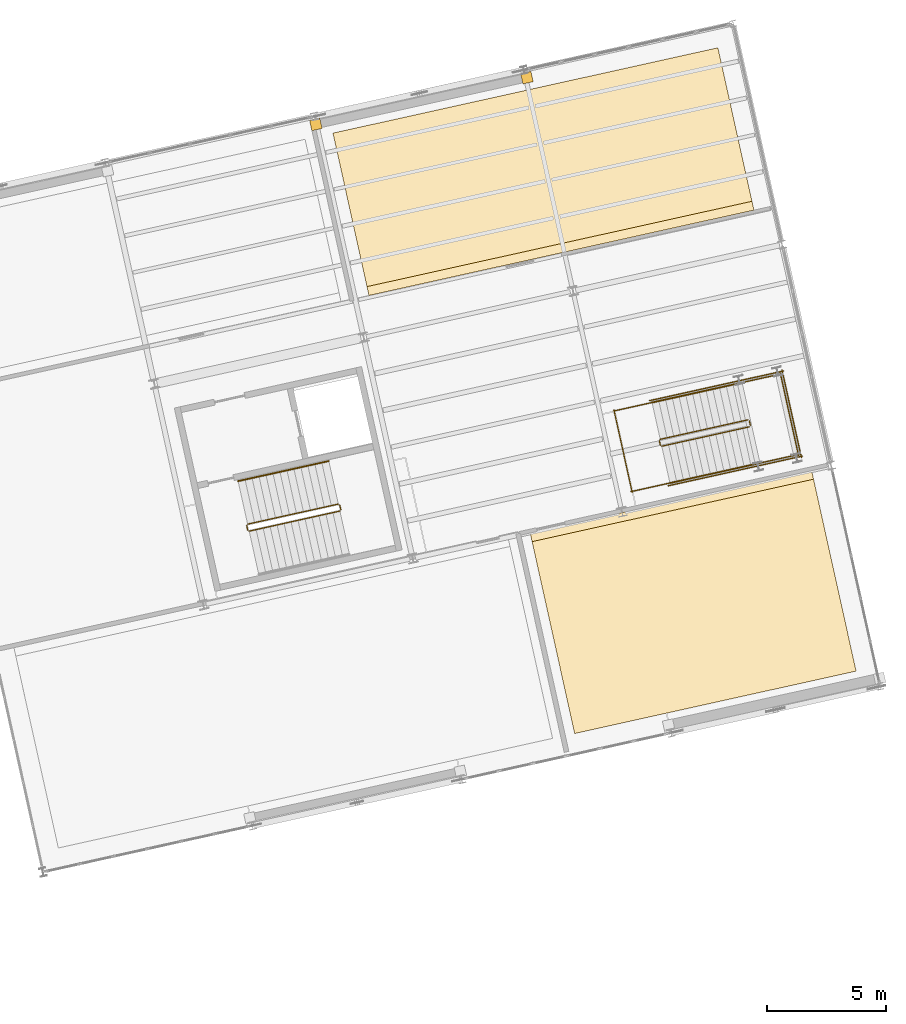
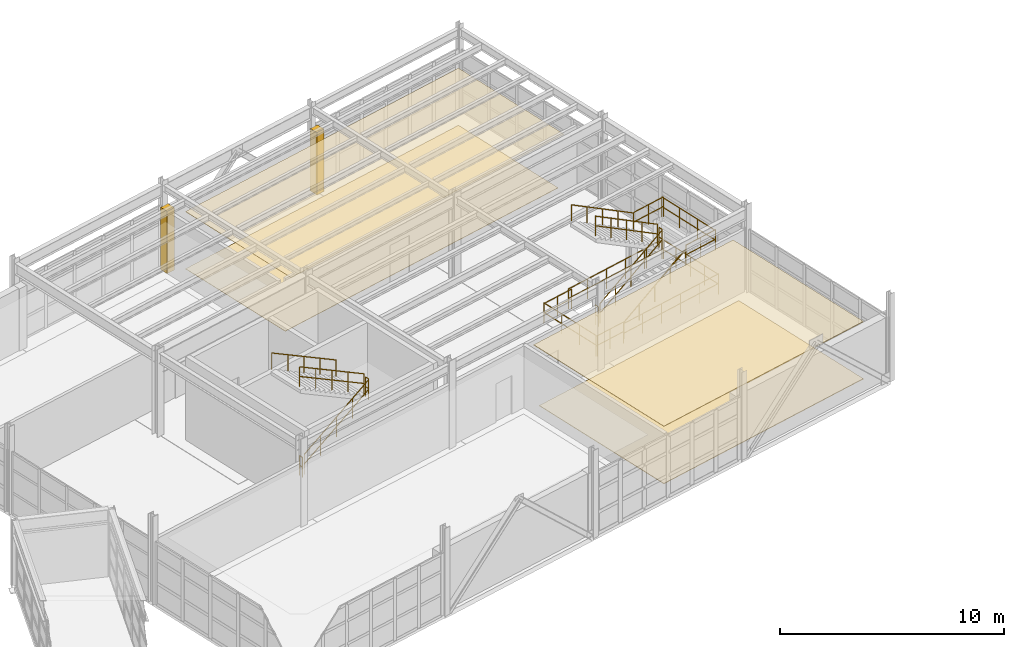
# One storey, part 102 of 102: 20 railings, 6 coverings.
"""IFC4 building model written with IfcOpenShell, lengths in metres."""

import ifcopenshell
import ifcopenshell.guid

model = None  # the IFC model being written
_history = None  # IfcOwnerHistory: only IFC2X3 demands one
_inside = {}  # id of a spatial element -> (the spatial element, [elements in it])
_under = {}  # id of a project, library or spatial element -> (it, [spatial elements below it])
_declared = {}  # id of a project -> (the project, [libraries it declares])
_typed = {}  # id of a type object -> (the type object, [elements of that type])
_made_of = {}  # id of a material, layer set ... -> (it, [elements and type objects made of it])


def new_model(schema):
    """Start an empty IFC model of exactly this schema.

    Asked for "IFC4X3", IfcOpenShell would pick the latest addendum, in which some entities
    have other attributes; the version numbers below select the first issue.
    IFC2X3 requires an IfcOwnerHistory on every rooted entity: one is made here for all.
    """
    global model, _history
    if schema == "IFC4X3":
        model = ifcopenshell.file(schema_version=(4, 3, 0, 0))
    else:
        model = ifcopenshell.file(schema=schema)
    _inside.clear()
    _under.clear()
    _declared.clear()
    _typed.clear()
    _made_of.clear()
    _history = None
    if model.schema == "IFC2X3":
        org = make("IfcOrganization", Name="unknown")
        user = make(
            "IfcPersonAndOrganization",
            ThePerson=make("IfcPerson", FamilyName="unknown"),
            TheOrganization=org,
        )
        app = make(
            "IfcApplication",
            ApplicationDeveloper=org,
            Version="unknown",
            ApplicationFullName="unknown",
            ApplicationIdentifier="unknown",
        )
        _history = make(
            "IfcOwnerHistory",
            OwningUser=user,
            OwningApplication=app,
            ChangeAction="ADDED",
            CreationDate=0,
        )
    return model


def make(cls, **values):
    """One entity of the class cls with the attributes given. An attribute that is None is left unset."""
    return model.create_entity(
        cls, **{name: value for name, value in values.items() if value is not None}
    )


def rooted(cls, **values):
    """An entity with a GlobalId (a new one), such as an element, a storey or a relation."""
    return make(cls, GlobalId=ifcopenshell.guid.new(), OwnerHistory=_history, **values)


def si_unit(unit_type, name, prefix=None):
    """IfcSIUnit, for example si_unit("LENGTHUNIT", "METRE", prefix="MILLI")."""
    return make("IfcSIUnit", UnitType=unit_type, Prefix=prefix, Name=name)


def assignment(units):
    """IfcUnitAssignment: the units of a project."""
    return None if units is None else make("IfcUnitAssignment", Units=units)


def point(xyz):
    """IfcCartesianPoint."""
    return None if xyz is None else make("IfcCartesianPoint", Coordinates=xyz)


def direction(xyz):
    """IfcDirection."""
    return None if xyz is None else make("IfcDirection", DirectionRatios=xyz)


def frame(location, z_axis=None, x_axis=None):
    """IfcAxis2Placement3D, a coordinate frame: its origin and axes. An axis left out is left unset."""
    return make(
        "IfcAxis2Placement3D",
        Location=point(location),
        Axis=direction(z_axis),
        RefDirection=direction(x_axis),
    )


def frame_2d(location, x_axis=None):
    """IfcAxis2Placement2D, a coordinate frame in the plane: its origin and x axis."""
    return make(
        "IfcAxis2Placement2D", Location=point(location), RefDirection=direction(x_axis)
    )


def origin():
    """The frame at (0, 0, 0) with its axes left unset."""
    return frame((0.0, 0.0, 0.0))


def origin_2d():
    """The frame at (0, 0) in the plane with its x axis left unset."""
    return frame_2d((0.0, 0.0))


def place(relative_to, where):
    """IfcLocalPlacement: puts the frame where relative to a parent placement (None: the world)."""
    return make(
        "IfcLocalPlacement", PlacementRelTo=relative_to, RelativePlacement=where
    )


def context(
    kind, dimensions, precision=None, world=None, true_north=None, identifier=None
):
    """IfcGeometricRepresentationContext, for example the 3D "Model" context."""
    return make(
        "IfcGeometricRepresentationContext",
        ContextIdentifier=identifier,
        ContextType=kind,
        CoordinateSpaceDimension=dimensions,
        Precision=precision,
        WorldCoordinateSystem=world,
        TrueNorth=true_north,
    )


def subcontext(parent, identifier, kind, view, scale=None):
    """IfcGeometricRepresentationSubContext, for example "Body" below "Model"."""
    return make(
        "IfcGeometricRepresentationSubContext",
        ContextIdentifier=identifier,
        ContextType=kind,
        ParentContext=parent,
        TargetScale=scale,
        TargetView=view,
    )


def project(units=None, contexts=None):
    """IfcProject with its units and contexts."""
    return rooted(
        "IfcProject",
        Name="project",
        RepresentationContexts=contexts,
        UnitsInContext=assignment(units),
    )


def spatial(cls, under=None, at=None, **own):
    """A site, building, storey or space (cls), placed at a placement, below another one or the project."""
    s = rooted(cls, ObjectPlacement=at, **own)
    if under is not None:
        _under.setdefault(under.id(), (under, []))[1].append(s)
    return s


def polyline(points):
    """IfcPolyline through the points."""
    return make("IfcPolyline", Points=[point(p) for p in points])


def profile(cls, at=None, kind="AREA", **sizes):
    """A parametric profile (cls). Its sizes go by their IFC names, for example OverallWidth=200.0."""
    return make(cls, ProfileType=kind, Position=at, **sizes)


def rectangle(**sizes):
    """IfcRectangleProfileDef."""
    return profile("IfcRectangleProfileDef", **sizes)


def circle(**sizes):
    """IfcCircleProfileDef."""
    return profile("IfcCircleProfileDef", **sizes)


def outline(outer, holes=None, kind="AREA"):
    """IfcArbitraryClosedProfileDef: a profile drawn as a closed curve; with holes, ...WithVoids."""
    if holes is None:
        return make("IfcArbitraryClosedProfileDef", ProfileType=kind, OuterCurve=outer)
    return make(
        "IfcArbitraryProfileDefWithVoids",
        ProfileType=kind,
        OuterCurve=outer,
        InnerCurves=holes,
    )


def extrude(swept, where, along, depth):
    """IfcExtrudedAreaSolid: the profile swept, set in the frame where, extruded along a direction by depth."""
    return make(
        "IfcExtrudedAreaSolid",
        SweptArea=swept,
        Position=where,
        ExtrudedDirection=direction(along),
        Depth=depth,
    )


def shape(context_of_items, identifier, shape_type, items):
    """IfcShapeRepresentation: the items that make up one representation, for example the "Body"."""
    return make(
        "IfcShapeRepresentation",
        ContextOfItems=context_of_items,
        RepresentationIdentifier=identifier,
        RepresentationType=shape_type,
        Items=items,
    )


def material(Name=None, Category=None):
    """IfcMaterial."""
    return make("IfcMaterial", Name=Name, Category=Category)


def layer(
    of_material, thickness, ventilated=None, Name=None, Category=None, Priority=None
):
    """IfcMaterialLayer: one layer of a wall or slab, of a material (None: an air gap)."""
    return make(
        "IfcMaterialLayer",
        Material=of_material,
        LayerThickness=thickness,
        IsVentilated=ventilated,
        Name=Name,
        Category=Category,
        Priority=Priority,
    )


def layer_set(layers, Name=None):
    """IfcMaterialLayerSet."""
    return make("IfcMaterialLayerSet", MaterialLayers=layers, LayerSetName=Name)


def made_of(thing, what):
    """Note that an element or type object is made of a material, layer set ...; save() writes the relation."""
    if what is not None:
        _made_of.setdefault(what.id(), (what, []))[1].append(thing)
    return thing


def type_object(cls, material=None, **own):
    """A type object (cls), such as IfcWallType, which elements share."""
    return made_of(rooted(cls, **own), material)


def element(
    cls,
    number,
    at=None,
    inside=None,
    cuts=None,
    type_object=None,
    material=None,
    context=None,
    identifier="Body",
    shape_type=None,
    held_by="IfcProductDefinitionShape",
    body=None,
    shapes=None,
    **own,
):
    """One element of the class cls, such as IfcWall. Its Tag is "e" and its number.

    at: its placement. inside: the storey or other place that contains it. cuts: it is an
    opening in that element (IfcRelVoidsElement). A single representation is given by context,
    identifier, shape_type and body (its items); several are given by shapes. held_by: the class
    of the entity that holds the representations. save() writes the other relations.
    """
    e = rooted(cls, Tag="e%d" % number, ObjectPlacement=at, **own)
    if body is not None:
        shapes = [shape(context, identifier, shape_type, body)]
    if shapes is not None:
        e.Representation = make(held_by, Representations=shapes)
    if inside is not None:
        _inside.setdefault(inside.id(), (inside, []))[1].append(e)
    if cuts is not None:
        rooted(
            "IfcRelVoidsElement", RelatingBuildingElement=cuts, RelatedOpeningElement=e
        )
    if type_object is not None:
        _typed.setdefault(type_object.id(), (type_object, []))[1].append(e)
    return made_of(e, material)


def aggregate(whole, parts):
    """IfcRelAggregates: a whole, such as a stair, and the parts it consists of."""
    return rooted("IfcRelAggregates", RelatingObject=whole, RelatedObjects=parts)


def save(model, path):
    """Write the relations noted so far, then the file.

    IfcRelAggregates (storeys below a building ...), IfcRelContainedInSpatialStructure (elements
    in a storey), IfcRelDefinesByType, IfcRelAssociatesMaterial and IfcRelDeclares: one each for
    every whole, place, type object, material and project.
    """
    for whole, parts in _under.values():
        aggregate(whole, parts)
    for where, things in _inside.values():
        rooted(
            "IfcRelContainedInSpatialStructure",
            RelatedElements=things,
            RelatingStructure=where,
        )
    for kind, things in _typed.values():
        rooted("IfcRelDefinesByType", RelatedObjects=things, RelatingType=kind)
    for what, things in _made_of.values():
        rooted("IfcRelAssociatesMaterial", RelatedObjects=things, RelatingMaterial=what)
    for by, libraries in _declared.values():
        rooted("IfcRelDeclares", RelatingContext=by, RelatedDefinitions=libraries)
    model.write(path)


model = new_model("IFC4")

# Units and contexts
model_context = context("Model", 3, precision=1e-05, world=origin(), true_north=direction((0.0, 1.0)))
body_context = subcontext(model_context, "Body", "Model", "MODEL_VIEW")
ifc_project = project(units=[si_unit("LENGTHUNIT", "METRE"), si_unit("AREAUNIT", "SQUARE_METRE"), si_unit("VOLUMEUNIT", "CUBIC_METRE"), si_unit("PLANEANGLEUNIT", "RADIAN"), si_unit("MASSUNIT", "GRAM", prefix="KILO")], contexts=[model_context])

# Site, building, storey
site_placement = place(None, origin())
site = spatial("IfcSite", under=ifc_project, at=site_placement, CompositionType="ELEMENT")
building_placement = place(site_placement, origin())
building = spatial("IfcBuilding", under=site, at=building_placement, Name="Vireo Bluff Cable Station", CompositionType="ELEMENT")
storey_placement = place(building_placement, frame((0.0, 0.0, 9.60009765625)))
storey = spatial("IfcBuildingStorey", under=building, at=storey_placement, Name="L02", CompositionType="ELEMENT", Elevation=9.60009765625)

# Coverings
ifc_material_1 = material(Name="Perforated Acoustic Metal Ceiling")
ifc_layer_1 = layer(ifc_material_1, 0.02490234375, Name="Perforated Acoustic Metal Ceiling")
ifc_layer_set_1 = layer_set([ifc_layer_1], Name="Perforated Acoustic Metal Ceiling")
covering_type_1 = type_object("IfcCoveringType", Name="CEILING-ACOUSTIC-25", PredefinedType="CEILING", material=ifc_layer_set_1)
covering_1_placement = place(storey_placement, frame((0.0, 0.0, 3.119873046875)))
element("IfcCovering", 1, at=covering_1_placement, inside=storey, type_object=covering_type_1, Name="V2 L02 Acoustic Ventilation Plenum Hall acoustic ceiling", PredefinedType="CEILING", context=body_context, shape_type="SweptSolid", body=[
    extrude(outline(polyline([(139.685302734375, 98.205810546875), (155.843017578125, 101.787841796875), (154.332275390625, 108.6025390625), (138.174560546875, 105.020263671875), (139.685302734375, 98.205810546875)])), origin(), (0.0, 0.0, 1.0), 0.025146484375),
])
ifc_layer_2 = layer(ifc_material_1, 0.034912109375, Name="Perforated Acoustic Metal Ceiling")
ifc_layer_set_2 = layer_set([ifc_layer_2], Name="Perforated Acoustic Metal Ceiling")
covering_type_2 = type_object("IfcCoveringType", Name="CEILING-ACOUSTIC-35", PredefinedType="CEILING", material=ifc_layer_set_2)
covering_2_placement = place(storey_placement, frame((0.0, 0.0, 3.119873046875)))
element("IfcCovering", 2, at=covering_2_placement, inside=storey, type_object=covering_type_2, Name="V2 L02 Hydraulic Tensioning Vault acoustic ceiling", PredefinedType="CEILING", context=body_context, shape_type="SweptSolid", body=[
    extrude(outline(polyline([(148.319580078125, 79.81884765625), (160.1328125, 82.437744140625), (158.26708984375, 90.853271484375), (146.453857421875, 88.234375), (148.319580078125, 79.81884765625)])), origin(), (0.0, 0.0, 1.0), 0.034912109375),
])
ifc_material_2 = material(Name="Precast concrete f'c 45 MPa", Category="concrete")
ifc_layer_3 = layer(ifc_material_2, 0.0400390625, Name="Precast concrete f'c 45 MPa")
ifc_layer_set_3 = layer_set([ifc_layer_3], Name="Precast concrete f'c 45 MPa")
covering_type_3 = type_object("IfcCoveringType", Name="COL-CLOSURE-WRAP", PredefinedType="CLADDING", material=ifc_layer_set_3)
for number, where, z_axis, x_axis, name in (
    (3, (137.45556640625, 105.38330078125, 0.0), (0.0, 0.0, 1.0), (0.97629600712, 0.216439613938, 0.0), "V2 L02 column pocket closure"),
    (4, (146.31494140625, 107.347412109375, 0.0), (0.0, 0.0, 1.0), (0.97629600712, 0.216439613938, 0.0), "V2 L02 column pocket closure"),
):
    element("IfcCovering", number, at=place(storey_placement, frame(where, z_axis=z_axis, x_axis=x_axis)), inside=storey, type_object=covering_type_3, Name=name, PredefinedType="CLADDING", context=body_context, shape_type="SweptSolid", body=[
        extrude(rectangle(XDim=0.43994140625, YDim=0.43994140625, at=origin_2d()), origin(), (0.0, 0.0, 1.0), 3.39990234375),
    ])
ifc_material_3 = material(Name="Polished Terrazzo Flooring")
ifc_layer_4 = layer(ifc_material_3, 0.02001953125, Name="Polished Terrazzo Flooring")
ifc_layer_set_4 = layer_set([ifc_layer_4], Name="Polished Terrazzo Flooring")
covering_type_4 = type_object("IfcCoveringType", Name="FLOORING-TERRAZZO-20", PredefinedType="FLOORING", material=ifc_layer_set_4)
covering_3_placement = place(storey_placement, origin())
element("IfcCovering", 5, at=covering_3_placement, inside=storey, type_object=covering_type_4, Name="V2 L02 Acoustic Ventilation Plenum Hall terrazzo finish", PredefinedType="FLOORING", context=body_context, shape_type="SweptSolid", body=[
    extrude(outline(polyline([(139.60302734375, 98.576904296875), (155.7607421875, 102.158935546875), (154.332275390625, 108.6025390625), (138.174560546875, 105.020263671875), (139.60302734375, 98.576904296875)])), origin(), (0.0, 0.0, 1.0), 0.02001953125),
])
ifc_layer_5 = layer(ifc_material_3, 0.030029296875, Name="Polished Terrazzo Flooring")
ifc_layer_set_5 = layer_set([ifc_layer_5], Name="Polished Terrazzo Flooring")
covering_type_5 = type_object("IfcCoveringType", Name="FLOORING-TERRAZZO-30", PredefinedType="FLOORING", material=ifc_layer_set_5)
covering_4_placement = place(storey_placement, origin())
element("IfcCovering", 6, at=covering_4_placement, inside=storey, type_object=covering_type_5, Name="V2 L02 Hydraulic Tensioning Vault terrazzo finish", PredefinedType="FLOORING", context=body_context, shape_type="SweptSolid", body=[
    extrude(outline(polyline([(148.319580078125, 79.81884765625), (160.1328125, 82.437744140625), (158.34716796875, 90.4921875), (146.533935546875, 87.873291015625), (148.319580078125, 79.81884765625)])), origin(), (0.0, 0.0, 1.0), 0.02978515625),
])

# Railings
ifc_material_4 = material(Name="Stainless Steel 316", Category="steel")
railing_type_1 = type_object("IfcRailingType", Name="STAIR-GUARD-1100", PredefinedType="GUARDRAIL", material=ifc_material_4)
railing_1_placement = place(storey_placement, frame((134.6572265625, 88.31298828125, 0.17138671875)))
element("IfcRailing", 7, at=railing_1_placement, inside=storey, type_object=railing_type_1, Name="L02 ST-04 stair guard 1", PredefinedType="GUARDRAIL", context=body_context, shape_type="SweptSolid", body=[
    extrude(circle(Radius=0.02392578125, at=origin_2d()), frame((0.0, 0.0, 1.076171875), z_axis=(0.847667079932, 0.187947727777, 0.496121127572), x_axis=(-0.216466466135, 0.976290053744, 0.0)), (0.0, 0.0, 1.0), 4.491943359375),
    extrude(circle(Radius=0.02392578125, at=origin_2d()), frame((0.0, 0.0, 0.550048828125), z_axis=(0.847667079932, 0.187947727777, 0.496121127572), x_axis=(-0.216466466135, 0.976290053744, 0.0)), (0.0, 0.0, 1.0), 4.491943359375),
    extrude(circle(Radius=0.02099609375, at=origin_2d()), origin(), (0.0, 0.0, 1.0), 1.052001953125),
    extrude(circle(Radius=0.02099609375, at=origin_2d()), frame((0.951904296875, 0.2109375, 0.55712890625)), (0.0, 0.0, 1.0), 1.052001953125),
    extrude(circle(Radius=0.02099609375, at=origin_2d()), frame((1.90380859375, 0.422119140625, 1.1142578125)), (0.0, 0.0, 1.0), 1.052001953125),
    extrude(circle(Radius=0.02099609375, at=origin_2d()), frame((2.855712890625, 0.63330078125, 1.67138671875)), (0.0, 0.0, 1.0), 1.052001953125),
    extrude(circle(Radius=0.02099609375, at=origin_2d()), frame((3.8076171875, 0.84423828125, 2.228515625)), (0.0, 0.0, 1.0), 1.052001953125),
])
railing_2_placement = place(storey_placement, frame((138.5029296875, 89.216796875, 2.39990234375)))
element("IfcRailing", 8, at=railing_2_placement, inside=storey, type_object=railing_type_1, Name="L02 ST-04 stair guard 2", PredefinedType="GUARDRAIL", context=body_context, shape_type="SweptSolid", body=[
    extrude(circle(Radius=0.02392578125, at=origin_2d()), frame((0.0, 0.0, 1.076171875), z_axis=(-0.217188837468, 0.976129606599, 0.0), x_axis=(-0.976129606599, -0.217188837468, 0.0)), (0.0, 0.0, 1.0), 0.2001953125),
    extrude(circle(Radius=0.02392578125, at=origin_2d()), frame((0.0, 0.0, 0.550048828125), z_axis=(-0.217188837468, 0.976129606599, 0.0), x_axis=(-0.976129606599, -0.217188837468, 0.0)), (0.0, 0.0, 1.0), 0.2001953125),
    extrude(circle(Radius=0.02099609375, at=origin_2d()), origin(), (0.0, 0.0, 1.0), 1.052001953125),
    extrude(circle(Radius=0.02099609375, at=origin_2d()), frame((-0.04345703125, 0.1953125, 0.0)), (0.0, 0.0, 1.0), 1.052001953125),
])
railing_3_placement = place(storey_placement, frame((138.39990234375, 89.449951171875, 2.5712890625)))
element("IfcRailing", 9, at=railing_3_placement, inside=storey, type_object=railing_type_1, Name="L02 ST-04 stair guard 3", PredefinedType="GUARDRAIL", context=body_context, shape_type="SweptSolid", body=[
    extrude(circle(Radius=0.02392578125, at=origin_2d()), frame((0.0, 0.0, 1.076171875), z_axis=(-0.847675737947, -0.187895295337, 0.49612619492), x_axis=(0.216406799411, -0.976303281347, 0.0)), (0.0, 0.0, 1.0), 4.491943359375),
    extrude(circle(Radius=0.02392578125, at=origin_2d()), frame((0.0, 0.0, 0.550048828125), z_axis=(-0.847675737947, -0.187895295337, 0.49612619492), x_axis=(0.216406799411, -0.976303281347, 0.0)), (0.0, 0.0, 1.0), 4.491943359375),
    extrude(circle(Radius=0.02099609375, at=origin_2d()), origin(), (0.0, 0.0, 1.0), 1.052001953125),
    extrude(circle(Radius=0.02099609375, at=origin_2d()), frame((-0.951904296875, -0.2109375, 0.55712890625)), (0.0, 0.0, 1.0), 1.052001953125),
    extrude(circle(Radius=0.02099609375, at=origin_2d()), frame((-1.90380859375, -0.421875, 1.1142578125)), (0.0, 0.0, 1.0), 1.052001953125),
    extrude(circle(Radius=0.02099609375, at=origin_2d()), frame((-2.855712890625, -0.633056640625, 1.67138671875)), (0.0, 0.0, 1.0), 1.052001953125),
    extrude(circle(Radius=0.02099609375, at=origin_2d()), frame((-3.8076171875, -0.843994140625, 2.228515625)), (0.0, 0.0, 1.0), 1.052001953125),
])
railing_4_placement = place(storey_placement, frame((134.59765625, 88.35107421875, 0.0)))
element("IfcRailing", 10, at=railing_4_placement, inside=storey, type_object=railing_type_1, Name="L02 ST-04 stair guard 4", PredefinedType="GUARDRAIL", context=body_context, shape_type="SweptSolid", body=[
    extrude(circle(Radius=0.02392578125, at=origin_2d()), frame((0.0, 0.0, 1.076171875), z_axis=(-0.216025770228, 0.976387662047, 0.0), x_axis=(-0.976387662047, -0.216025770228, 0.0)), (0.0, 0.0, 1.0), 0.199951171875),
    extrude(circle(Radius=0.02392578125, at=origin_2d()), frame((0.0, 0.0, 0.550048828125), z_axis=(-0.216025770228, 0.976387662047, 0.0), x_axis=(-0.976387662047, -0.216025770228, 0.0)), (0.0, 0.0, 1.0), 0.199951171875),
    extrude(circle(Radius=0.02099609375, at=origin_2d()), origin(), (0.0, 0.0, 1.0), 1.052001953125),
    extrude(circle(Radius=0.02099609375, at=origin_2d()), frame((-0.043212890625, 0.1953125, 0.0)), (0.0, 0.0, 1.0), 1.052001953125),
])
railing_5_placement = place(storey_placement, frame((151.9765625, 91.876220703125, 0.17138671875)))
element("IfcRailing", 11, at=railing_5_placement, inside=storey, type_object=railing_type_1, Name="L02 ST-09 stair guard 1", PredefinedType="GUARDRAIL", context=body_context, shape_type="SweptSolid", body=[
    extrude(circle(Radius=0.02392578125, at=origin_2d()), frame((0.0, 0.0, 1.076171875), z_axis=(0.840446156848, 0.186307446019, 0.508861270875), x_axis=(-0.216423026341, 0.976299684354, 0.0)), (0.0, 0.0, 1.0), 4.37939453125),
    extrude(circle(Radius=0.02392578125, at=origin_2d()), frame((0.0, 0.0, 0.550048828125), z_axis=(0.840446156848, 0.186307446019, 0.508861270875), x_axis=(-0.216423026341, 0.976299684354, 0.0)), (0.0, 0.0, 1.0), 4.37939453125),
    extrude(circle(Radius=0.02099609375, at=origin_2d()), origin(), (0.0, 0.0, 1.0), 1.052001953125),
    extrude(circle(Radius=0.02099609375, at=origin_2d()), frame((0.920166015625, 0.2041015625, 0.55712890625)), (0.0, 0.0, 1.0), 1.052001953125),
    extrude(circle(Radius=0.02099609375, at=origin_2d()), frame((1.84033203125, 0.407958984375, 1.1142578125)), (0.0, 0.0, 1.0), 1.052001953125),
    extrude(circle(Radius=0.02099609375, at=origin_2d()), frame((2.760498046875, 0.61181640625, 1.67138671875)), (0.0, 0.0, 1.0), 1.052001953125),
    extrude(circle(Radius=0.02099609375, at=origin_2d()), frame((3.6806640625, 0.81591796875, 2.228515625)), (0.0, 0.0, 1.0), 1.052001953125),
])
railing_6_placement = place(storey_placement, frame((155.6953125, 92.751708984375, 2.39990234375)))
element("IfcRailing", 12, at=railing_6_placement, inside=storey, type_object=railing_type_1, Name="L02 ST-09 stair guard 2", PredefinedType="GUARDRAIL", context=body_context, shape_type="SweptSolid", body=[
    extrude(circle(Radius=0.02392578125, at=origin_2d()), frame((0.0, 0.0, 1.076171875), z_axis=(-0.216025770228, 0.976387662047, 0.0), x_axis=(-0.976387662047, -0.216025770228, 0.0)), (0.0, 0.0, 1.0), 0.199951171875),
    extrude(circle(Radius=0.02392578125, at=origin_2d()), frame((0.0, 0.0, 0.550048828125), z_axis=(-0.216025770228, 0.976387662047, 0.0), x_axis=(-0.976387662047, -0.216025770228, 0.0)), (0.0, 0.0, 1.0), 0.199951171875),
    extrude(circle(Radius=0.02099609375, at=origin_2d()), origin(), (0.0, 0.0, 1.0), 1.052001953125),
    extrude(circle(Radius=0.02099609375, at=origin_2d()), frame((-0.043212890625, 0.1953125, 0.0)), (0.0, 0.0, 1.0), 1.052001953125),
])
railing_7_placement = place(storey_placement, frame((155.999267578125, 91.149658203125, 2.39990234375)))
element("IfcRailing", 13, at=railing_7_placement, inside=storey, type_object=railing_type_1, Name="L02 ST-09 stair guard 3", PredefinedType="GUARDRAIL", context=body_context, shape_type="SweptSolid", body=[
    extrude(circle(Radius=0.02392578125, at=origin_2d()), frame((0.0, 0.0, 1.076171875), z_axis=(0.976317732758, 0.21634159263, 0.0), x_axis=(-0.21634159263, 0.976317732758, 0.0)), (0.0, 0.0, 1.0), 1.800048828125),
    extrude(circle(Radius=0.02392578125, at=origin_2d()), frame((0.0, 0.0, 0.550048828125), z_axis=(0.976317732758, 0.21634159263, 0.0), x_axis=(-0.21634159263, 0.976317732758, 0.0)), (0.0, 0.0, 1.0), 1.800048828125),
    extrude(circle(Radius=0.02099609375, at=origin_2d()), origin(), (0.0, 0.0, 1.0), 1.052001953125),
    extrude(circle(Radius=0.02099609375, at=origin_2d()), frame((0.878662109375, 0.19482421875, 0.0)), (0.0, 0.0, 1.0), 1.052001953125),
    extrude(circle(Radius=0.02099609375, at=origin_2d()), frame((1.75732421875, 0.389404296875, 0.0)), (0.0, 0.0, 1.0), 1.052001953125),
])
railing_8_placement = place(storey_placement, frame((155.25048828125, 94.527587890625, 2.39990234375)))
element("IfcRailing", 14, at=railing_8_placement, inside=storey, type_object=railing_type_1, Name="L02 ST-09 stair guard 4", PredefinedType="GUARDRAIL", context=body_context, shape_type="SweptSolid", body=[
    extrude(circle(Radius=0.02392578125, at=origin_2d()), frame((0.0, 0.0, 1.076171875), z_axis=(0.976289075969, 0.216470875972, 0.0), x_axis=(-0.216470875972, 0.976289075969, 0.0)), (0.0, 0.0, 1.0), 1.800048828125),
    extrude(circle(Radius=0.02392578125, at=origin_2d()), frame((0.0, 0.0, 0.550048828125), z_axis=(0.976289075969, 0.216470875972, 0.0), x_axis=(-0.216470875972, 0.976289075969, 0.0)), (0.0, 0.0, 1.0), 1.800048828125),
    extrude(circle(Radius=0.02099609375, at=origin_2d()), origin(), (0.0, 0.0, 1.0), 1.052001953125),
    extrude(circle(Radius=0.02099609375, at=origin_2d()), frame((0.878662109375, 0.19482421875, 0.0)), (0.0, 0.0, 1.0), 1.052001953125),
    extrude(circle(Radius=0.02099609375, at=origin_2d()), frame((1.75732421875, 0.3896484375, 0.0)), (0.0, 0.0, 1.0), 1.052001953125),
])
railing_9_placement = place(storey_placement, frame((157.718505859375, 91.4794921875, 2.39990234375)))
element("IfcRailing", 15, at=railing_9_placement, inside=storey, type_object=railing_type_1, Name="L02 ST-09 stair guard 5", PredefinedType="GUARDRAIL", context=body_context, shape_type="SweptSolid", body=[
    extrude(circle(Radius=0.02392578125, at=origin_2d()), frame((0.0, 0.0, 1.076171875), z_axis=(-0.216436658224, 0.976296662381, 0.0), x_axis=(-0.976296662381, -0.216436658224, 0.0)), (0.0, 0.0, 1.0), 3.56005859375),
    extrude(circle(Radius=0.02392578125, at=origin_2d()), frame((0.0, 0.0, 0.550048828125), z_axis=(-0.216436658224, 0.976296662381, 0.0), x_axis=(-0.976296662381, -0.216436658224, 0.0)), (0.0, 0.0, 1.0), 3.56005859375),
    extrude(circle(Radius=0.02099609375, at=origin_2d()), origin(), (0.0, 0.0, 1.0), 1.052001953125),
    extrude(circle(Radius=0.02099609375, at=origin_2d()), frame((-0.2568359375, 1.158447265625, 0.0)), (0.0, 0.0, 1.0), 1.052001953125),
    extrude(circle(Radius=0.02099609375, at=origin_2d()), frame((-0.513671875, 2.317138671875, 0.0)), (0.0, 0.0, 1.0), 1.052001953125),
    extrude(circle(Radius=0.02099609375, at=origin_2d()), frame((-0.7705078125, 3.4755859375, 0.0)), (0.0, 0.0, 1.0), 1.052001953125),
])
railing_10_placement = place(storey_placement, frame((155.59228515625, 92.98486328125, 2.5712890625)))
element("IfcRailing", 16, at=railing_10_placement, inside=storey, type_object=railing_type_1, Name="L02 ST-09 stair guard 6", PredefinedType="GUARDRAIL", context=body_context, shape_type="SweptSolid", body=[
    extrude(circle(Radius=0.02392578125, at=origin_2d()), frame((0.0, 0.0, 1.076171875), z_axis=(-0.840446156848, -0.186307446019, 0.508861270875), x_axis=(0.216423026341, -0.976299684354, 0.0)), (0.0, 0.0, 1.0), 4.37939453125),
    extrude(circle(Radius=0.02392578125, at=origin_2d()), frame((0.0, 0.0, 0.550048828125), z_axis=(-0.840446156848, -0.186307446019, 0.508861270875), x_axis=(0.216423026341, -0.976299684354, 0.0)), (0.0, 0.0, 1.0), 4.37939453125),
    extrude(circle(Radius=0.02099609375, at=origin_2d()), origin(), (0.0, 0.0, 1.0), 1.052001953125),
    extrude(circle(Radius=0.02099609375, at=origin_2d()), frame((-0.920166015625, -0.2041015625, 0.55712890625)), (0.0, 0.0, 1.0), 1.052001953125),
    extrude(circle(Radius=0.02099609375, at=origin_2d()), frame((-1.84033203125, -0.407958984375, 1.1142578125)), (0.0, 0.0, 1.0), 1.052001953125),
    extrude(circle(Radius=0.02099609375, at=origin_2d()), frame((-2.760498046875, -0.61181640625, 1.67138671875)), (0.0, 0.0, 1.0), 1.052001953125),
    extrude(circle(Radius=0.02099609375, at=origin_2d()), frame((-3.6806640625, -0.81591796875, 2.228515625)), (0.0, 0.0, 1.0), 1.052001953125),
])
railing_11_placement = place(storey_placement, frame((151.9169921875, 91.9140625, 0.0)))
element("IfcRailing", 17, at=railing_11_placement, inside=storey, type_object=railing_type_1, Name="L02 ST-09 stair guard 7", PredefinedType="GUARDRAIL", context=body_context, shape_type="SweptSolid", body=[
    extrude(circle(Radius=0.02392578125, at=origin_2d()), frame((0.0, 0.0, 1.076171875), z_axis=(-0.216025770228, 0.976387662047, 0.0), x_axis=(-0.976387662047, -0.216025770228, 0.0)), (0.0, 0.0, 1.0), 0.199951171875),
    extrude(circle(Radius=0.02392578125, at=origin_2d()), frame((0.0, 0.0, 0.550048828125), z_axis=(-0.216025770228, 0.976387662047, 0.0), x_axis=(-0.976387662047, -0.216025770228, 0.0)), (0.0, 0.0, 1.0), 0.199951171875),
    extrude(circle(Radius=0.02099609375, at=origin_2d()), origin(), (0.0, 0.0, 1.0), 1.052001953125),
    extrude(circle(Radius=0.02099609375, at=origin_2d()), frame((-0.043212890625, 0.1953125, 0.0)), (0.0, 0.0, 1.0), 1.052001953125),
])
railing_12_placement = place(storey_placement, frame((150.678466796875, 89.969970703125, 0.0)))
element("IfcRailing", 18, at=railing_12_placement, inside=storey, type_object=railing_type_1, Name="L02 ST-09 stair guard 8", PredefinedType="GUARDRAIL", context=body_context, shape_type="SweptSolid", body=[
    extrude(circle(Radius=0.02392578125, at=origin_2d()), frame((0.0, 0.0, 1.076171875), z_axis=(0.976306592655, 0.216391860146, 0.0), x_axis=(-0.216391860146, 0.976306592655, 0.0)), (0.0, 0.0, 1.0), 1.679931640625),
    extrude(circle(Radius=0.02392578125, at=origin_2d()), frame((0.0, 0.0, 0.550048828125), z_axis=(0.976306592655, 0.216391860146, 0.0), x_axis=(-0.216391860146, 0.976306592655, 0.0)), (0.0, 0.0, 1.0), 1.679931640625),
    extrude(circle(Radius=0.02099609375, at=origin_2d()), origin(), (0.0, 0.0, 1.0), 1.052001953125),
    extrude(circle(Radius=0.02099609375, at=origin_2d()), frame((0.820068359375, 0.181640625, 0.0)), (0.0, 0.0, 1.0), 1.052001953125),
    extrude(circle(Radius=0.02099609375, at=origin_2d()), frame((1.64013671875, 0.363525390625, 0.0)), (0.0, 0.0, 1.0), 1.052001953125),
])
railing_13_placement = place(storey_placement, frame((149.9296875, 93.347900390625, 0.0)))
element("IfcRailing", 19, at=railing_13_placement, inside=storey, type_object=railing_type_1, Name="L02 ST-09 stair guard 9", PredefinedType="GUARDRAIL", context=body_context, shape_type="SweptSolid", body=[
    extrude(circle(Radius=0.02392578125, at=origin_2d()), frame((0.0, 0.0, 1.076171875), z_axis=(0.976275881321, 0.216530375583, 0.0), x_axis=(-0.216530375583, 0.976275881321, 0.0)), (0.0, 0.0, 1.0), 1.679931640625),
    extrude(circle(Radius=0.02392578125, at=origin_2d()), frame((0.0, 0.0, 0.550048828125), z_axis=(0.976275881321, 0.216530375583, 0.0), x_axis=(-0.216530375583, 0.976275881321, 0.0)), (0.0, 0.0, 1.0), 1.679931640625),
    extrude(circle(Radius=0.02099609375, at=origin_2d()), origin(), (0.0, 0.0, 1.0), 1.052001953125),
    extrude(circle(Radius=0.02099609375, at=origin_2d()), frame((0.820068359375, 0.181884765625, 0.0)), (0.0, 0.0, 1.0), 1.052001953125),
    extrude(circle(Radius=0.02099609375, at=origin_2d()), frame((1.64013671875, 0.36376953125, 0.0)), (0.0, 0.0, 1.0), 1.052001953125),
])
railing_14_placement = place(storey_placement, frame((150.738037109375, 89.931884765625, 0.0)))
element("IfcRailing", 20, at=railing_14_placement, inside=storey, type_object=railing_type_1, Name="L02 ST-09 stair guard 10", PredefinedType="GUARDRAIL", context=body_context, shape_type="SweptSolid", body=[
    extrude(circle(Radius=0.02392578125, at=origin_2d()), frame((0.0, 0.0, 1.076171875), z_axis=(-0.216436658224, 0.976296662381, 0.0), x_axis=(-0.976296662381, -0.216436658224, 0.0)), (0.0, 0.0, 1.0), 3.56005859375),
    extrude(circle(Radius=0.02392578125, at=origin_2d()), frame((0.0, 0.0, 0.550048828125), z_axis=(-0.216436658224, 0.976296662381, 0.0), x_axis=(-0.976296662381, -0.216436658224, 0.0)), (0.0, 0.0, 1.0), 3.56005859375),
    extrude(circle(Radius=0.02099609375, at=origin_2d()), origin(), (0.0, 0.0, 1.0), 1.052001953125),
    extrude(circle(Radius=0.02099609375, at=origin_2d()), frame((-0.2568359375, 1.158447265625, 0.0)), (0.0, 0.0, 1.0), 1.052001953125),
    extrude(circle(Radius=0.02099609375, at=origin_2d()), frame((-0.513671875, 2.317138671875, 0.0)), (0.0, 0.0, 1.0), 1.052001953125),
    extrude(circle(Radius=0.02099609375, at=origin_2d()), frame((-0.7705078125, 3.4755859375, 0.0)), (0.0, 0.0, 1.0), 1.052001953125),
])
for number, where, name in (
    (21, (152.24267578125, 90.21435546875, 0.0), "L02 ST-09 stair guard 11"),
    (22, (151.450439453125, 93.78759765625, 0.0), "L02 ST-09 stair guard 12"),
):
    element("IfcRailing", number, at=place(storey_placement, frame(where)), inside=storey, type_object=railing_type_1, Name=name, PredefinedType="GUARDRAIL", context=body_context, shape_type="SweptSolid", body=[
        extrude(circle(Radius=0.02392578125, at=origin_2d()), frame((0.0, 0.0, 1.076171875), z_axis=(0.976299428174, 0.216424181984, 0.0), x_axis=(-0.216424181984, 0.976299428174, 0.0)), (0.0, 0.0, 1.0), 5.77001953125),
        extrude(circle(Radius=0.02392578125, at=origin_2d()), frame((0.0, 0.0, 0.550048828125), z_axis=(0.976299428174, 0.216424181984, 0.0), x_axis=(-0.216424181984, 0.976299428174, 0.0)), (0.0, 0.0, 1.0), 5.77001953125),
        extrude(circle(Radius=0.02099609375, at=origin_2d()), origin(), (0.0, 0.0, 1.0), 1.052001953125),
        extrude(circle(Radius=0.02099609375, at=origin_2d()), frame((1.126708984375, 0.249755859375, 0.0)), (0.0, 0.0, 1.0), 1.052001953125),
        extrude(circle(Radius=0.02099609375, at=origin_2d()), frame((2.25341796875, 0.49951171875, 0.0)), (0.0, 0.0, 1.0), 1.052001953125),
        extrude(circle(Radius=0.02099609375, at=origin_2d()), frame((3.3798828125, 0.749267578125, 0.0)), (0.0, 0.0, 1.0), 1.052001953125),
        extrude(circle(Radius=0.02099609375, at=origin_2d()), frame((4.506591796875, 0.9990234375, 0.0)), (0.0, 0.0, 1.0), 1.052001953125),
        extrude(circle(Radius=0.02099609375, at=origin_2d()), frame((5.63330078125, 1.248779296875, 0.0)), (0.0, 0.0, 1.0), 1.052001953125),
    ])
railing_15_placement = place(storey_placement, frame((157.837890625, 91.403564453125, 0.0)))
element("IfcRailing", 23, at=railing_15_placement, inside=storey, type_object=railing_type_1, Name="L02 ST-09 stair guard 13", PredefinedType="GUARDRAIL", context=body_context, shape_type="SweptSolid", body=[
    extrude(circle(Radius=0.02392578125, at=origin_2d()), frame((0.0, 0.0, 1.076171875), z_axis=(-0.21641479956, 0.976301508004, 0.0), x_axis=(-0.976301508004, -0.21641479956, 0.0)), (0.0, 0.0, 1.0), 3.760009765625),
    extrude(circle(Radius=0.02392578125, at=origin_2d()), frame((0.0, 0.0, 0.550048828125), z_axis=(-0.21641479956, 0.976301508004, 0.0), x_axis=(-0.976301508004, -0.21641479956, 0.0)), (0.0, 0.0, 1.0), 3.760009765625),
    extrude(circle(Radius=0.02099609375, at=origin_2d()), origin(), (0.0, 0.0, 1.0), 1.052001953125),
    extrude(circle(Radius=0.02099609375, at=origin_2d()), frame((-0.203369140625, 0.917724609375, 0.0)), (0.0, 0.0, 1.0), 1.052001953125),
    extrude(circle(Radius=0.02099609375, at=origin_2d()), frame((-0.40673828125, 1.83544921875, 0.0)), (0.0, 0.0, 1.0), 1.052001953125),
    extrude(circle(Radius=0.02099609375, at=origin_2d()), frame((-0.6103515625, 2.753173828125, 0.0)), (0.0, 0.0, 1.0), 1.052001953125),
    extrude(circle(Radius=0.02099609375, at=origin_2d()), frame((-0.813720703125, 3.6708984375, 0.0)), (0.0, 0.0, 1.0), 1.052001953125),
])
railing_type_2 = type_object("IfcRailingType", Name="STAIR-HANDRAIL-900", PredefinedType="HANDRAIL", material=ifc_material_4)
railing_16_placement = place(storey_placement, frame((137.99951171875, 91.256103515625, 2.5712890625)))
element("IfcRailing", 24, at=railing_16_placement, inside=storey, type_object=railing_type_2, Name="L02 ST-04 stair handrail 2", PredefinedType="HANDRAIL", context=body_context, shape_type="SweptSolid", body=[
    extrude(circle(Radius=0.02392578125, at=origin_2d()), frame((0.0, 0.0, 0.8759765625), z_axis=(-0.847675737947, -0.187895295337, 0.49612619492), x_axis=(0.216406799411, -0.976303281347, 0.0)), (0.0, 0.0, 1.0), 4.491943359375),
    extrude(circle(Radius=0.02099609375, at=origin_2d()), origin(), (0.0, 0.0, 1.0), 0.851806640625),
    extrude(circle(Radius=0.02099609375, at=origin_2d()), frame((-0.951904296875, -0.2109375, 0.55712890625)), (0.0, 0.0, 1.0), 0.851806640625),
    extrude(circle(Radius=0.02099609375, at=origin_2d()), frame((-1.90380859375, -0.421875, 1.1142578125)), (0.0, 0.0, 1.0), 0.851806640625),
    extrude(circle(Radius=0.02099609375, at=origin_2d()), frame((-2.855712890625, -0.633056640625, 1.67138671875)), (0.0, 0.0, 1.0), 0.851806640625),
    extrude(circle(Radius=0.02099609375, at=origin_2d()), frame((-3.8076171875, -0.843994140625, 2.228515625)), (0.0, 0.0, 1.0), 0.851806640625),
])
railing_17_placement = place(storey_placement, frame((152.318603515625, 90.33349609375, 0.17138671875)))
element("IfcRailing", 25, at=railing_17_placement, inside=storey, type_object=railing_type_2, Name="L02 ST-09 stair handrail 1", PredefinedType="HANDRAIL", context=body_context, shape_type="SweptSolid", body=[
    extrude(circle(Radius=0.02392578125, at=origin_2d()), frame((0.0, 0.0, 0.8759765625), z_axis=(0.840437426691, 0.186361257457, 0.508855985065), x_axis=(-0.216484750358, 0.976285999522, 0.0)), (0.0, 0.0, 1.0), 4.37939453125),
    extrude(circle(Radius=0.02099609375, at=origin_2d()), origin(), (0.0, 0.0, 1.0), 0.851806640625),
    extrude(circle(Radius=0.02099609375, at=origin_2d()), frame((0.920166015625, 0.2041015625, 0.55712890625)), (0.0, 0.0, 1.0), 0.851806640625),
    extrude(circle(Radius=0.02099609375, at=origin_2d()), frame((1.84033203125, 0.408203125, 1.1142578125)), (0.0, 0.0, 1.0), 0.851806640625),
    extrude(circle(Radius=0.02099609375, at=origin_2d()), frame((2.760498046875, 0.612060546875, 1.67138671875)), (0.0, 0.0, 1.0), 0.851806640625),
    extrude(circle(Radius=0.02099609375, at=origin_2d()), frame((3.6806640625, 0.816162109375, 2.228515625)), (0.0, 0.0, 1.0), 0.851806640625),
])
railing_18_placement = place(storey_placement, frame((155.25048828125, 94.527587890625, 2.5712890625)))
element("IfcRailing", 26, at=railing_18_placement, inside=storey, type_object=railing_type_2, Name="L02 ST-09 stair handrail 2", PredefinedType="HANDRAIL", context=body_context, shape_type="SweptSolid", body=[
    extrude(circle(Radius=0.02392578125, at=origin_2d()), frame((0.0, 0.0, 0.8759765625), z_axis=(-0.840446156848, -0.186307446019, 0.508861270875), x_axis=(0.216423026341, -0.976299684354, 0.0)), (0.0, 0.0, 1.0), 4.37939453125),
    extrude(circle(Radius=0.02099609375, at=origin_2d()), origin(), (0.0, 0.0, 1.0), 0.851806640625),
    extrude(circle(Radius=0.02099609375, at=origin_2d()), frame((-0.920166015625, -0.2041015625, 0.55712890625)), (0.0, 0.0, 1.0), 0.851806640625),
    extrude(circle(Radius=0.02099609375, at=origin_2d()), frame((-1.84033203125, -0.407958984375, 1.1142578125)), (0.0, 0.0, 1.0), 0.851806640625),
    extrude(circle(Radius=0.02099609375, at=origin_2d()), frame((-2.760498046875, -0.61181640625, 1.67138671875)), (0.0, 0.0, 1.0), 0.851806640625),
    extrude(circle(Radius=0.02099609375, at=origin_2d()), frame((-3.6806640625, -0.81591796875, 2.228515625)), (0.0, 0.0, 1.0), 0.851806640625),
])

save(model, "model.ifc")
